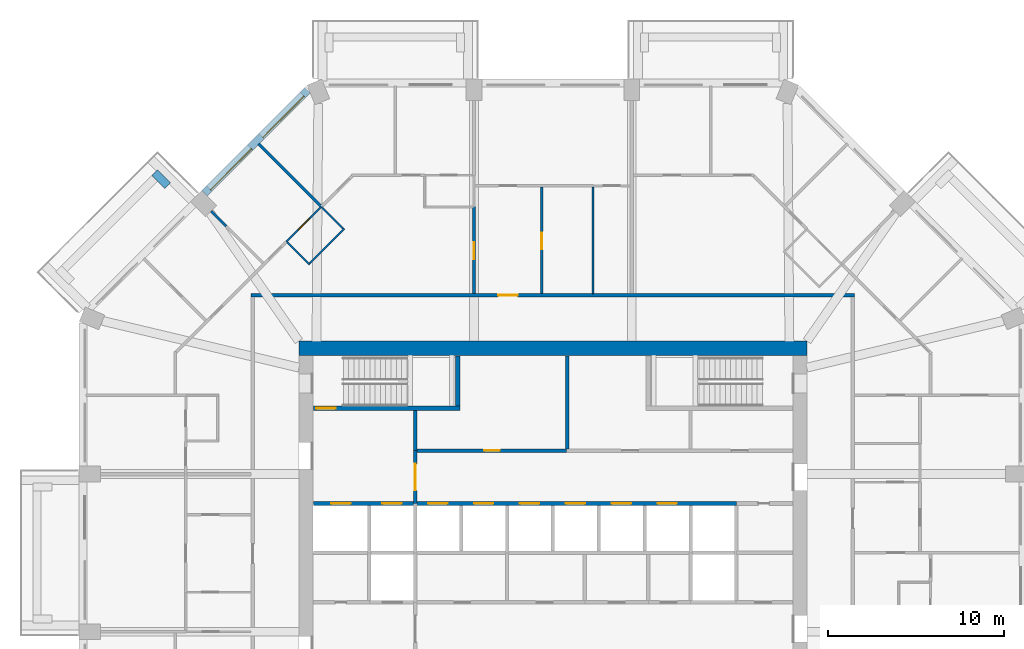
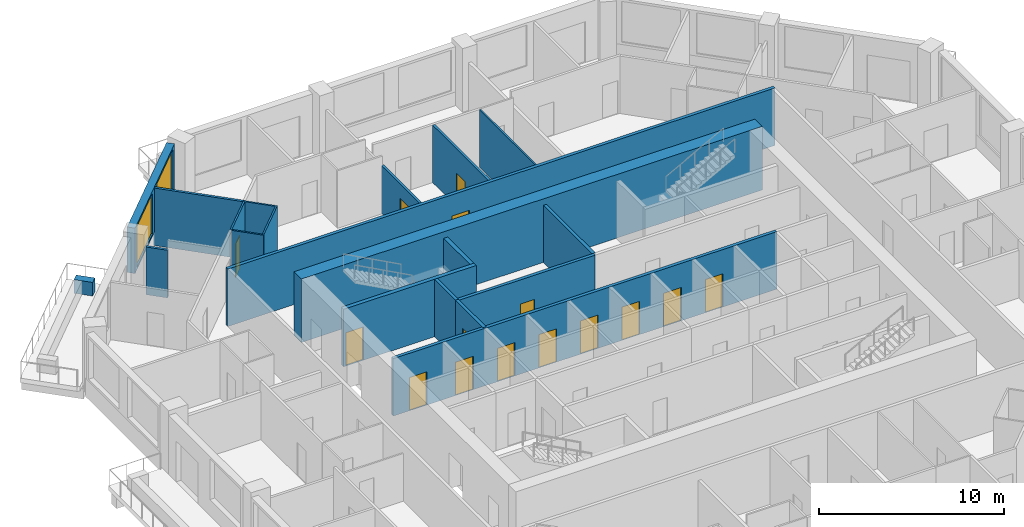
# One storey, part 8 of 13: 20 walls, 15 doors, 2 windows, 17 openings.
"""IFC4 building model written with IfcOpenShell, lengths in metres."""

from ifc_helpers import new_model, si_unit, direction, frame, frame_2d, origin, place, context, subcontext, project, spatial, rectangle, extrude, material, layer, layer_set, type_object, element, fill, save


model = new_model("IFC4")

# Units and contexts
model_context = context("Model", 3, precision=1e-05, world=origin(), true_north=direction((0.0, 1.0)))
body_context = subcontext(model_context, "Body", "Model", "MODEL_VIEW")
ifc_project = project(units=[si_unit("LENGTHUNIT", "METRE"), si_unit("AREAUNIT", "SQUARE_METRE"), si_unit("VOLUMEUNIT", "CUBIC_METRE"), si_unit("PLANEANGLEUNIT", "RADIAN"), si_unit("MASSUNIT", "GRAM", prefix="KILO")], contexts=[model_context])

# Site, building, storey
site_placement = place(None, origin())
site = spatial("IfcSite", under=ifc_project, at=site_placement, CompositionType="ELEMENT")
building_placement = place(site_placement, origin())
building = spatial("IfcBuilding", under=site, at=building_placement, Name="Msitu Wima Residences", CompositionType="ELEMENT")
storey_placement = place(building_placement, frame((0.0, 0.0, 148.5)))
storey = spatial("IfcBuildingStorey", under=building, at=storey_placement, Name="L34", CompositionType="ELEMENT", Elevation=148.5)

# Wall
ifc_material_1 = material(Name="Facing brick")
ifc_layer_1 = layer(ifc_material_1, 0.06494140625, Name="Facing brick")
ifc_material_2 = material(Name="Concrete C40/50", Category="concrete")
ifc_layer_2 = layer(ifc_material_2, 0.156005859375, Name="Concrete C40/50")
ifc_material_3 = material(Name="Waterproofing membrane")
ifc_layer_3 = layer(ifc_material_3, 0.00390625, Name="Waterproofing membrane")
ifc_material_4 = material(Name="Planting soil and planting")
ifc_layer_4 = layer(ifc_material_4, 0.22509765625, Name="Planting soil and planting")
ifc_layer_set_1 = layer_set([ifc_layer_1, ifc_layer_2, ifc_layer_3, ifc_layer_4], Name="Concrete C40/50")
wall_type_1 = type_object("IfcWallType", Name="Balcony planter PLANTER PL450", PredefinedType="USERDEFINED", material=ifc_layer_set_1)
wall_1_placement = place(storey_placement, frame((-21.829833984375, 20.804443359375, 0.0), z_axis=(0.0, 0.0, 1.0), x_axis=(-0.707106781187, 0.707106781187, 0.0)))
element("IfcWall", 1, at=wall_1_placement, inside=storey, type_object=wall_type_1, Name="Balcony planter NW1 L34", ObjectType="PLANTER", PredefinedType="USERDEFINED", context=body_context, shape_type="SweptSolid", body=[
    extrude(rectangle(XDim=1.050048828125, YDim=0.449951171875, at=frame_2d((0.52490234375, 0.0))), origin(), (0.0, 0.0, 1.0), 0.89990234375),
])

# Wall, openings, windows
ifc_material_5 = material(Name="Brick (red buff mix)", Category="masonry")
ifc_layer_5 = layer(ifc_material_5, 0.449951171875)
ifc_layer_set_2 = layer_set([ifc_layer_5], Name="Brick (red buff mix)")
wall_type_2 = type_object("IfcWallType", Name="Brick infill wall BW450", PredefinedType="SOLIDWALL", material=ifc_layer_set_2)
wall_2_placement = place(storey_placement, frame((-13.909423828125, 26.214599609375, 0.89990234375), z_axis=(0.0, 0.0, 1.0), x_axis=(-0.707106781187, -0.707106781187, 0.0)))
wall_2 = element("IfcWall", 2, at=wall_2_placement, inside=storey, type_object=wall_type_2, Name="Brick infill wall L34 NW0", PredefinedType="SOLIDWALL", context=body_context, shape_type="SweptSolid", body=[
    extrude(rectangle(XDim=8.251220703125, YDim=0.449951171875, at=frame_2d((4.12548828125, 0.0))), origin(), (0.0, 0.0, 1.0), 3.0),
])
opening_1_placement = place(wall_2_placement, frame((0.37548828125, 0.0, 0.14990234375)))
opening_1 = element("IfcOpeningElement", 3, at=opening_1_placement, cuts=wall_2, Name="Opening W34-35.013", PredefinedType="OPENING", context=body_context, shape_type="SweptSolid", body=[
    extrude(rectangle(XDim=3.300048828125, YDim=2.699951171875, at=frame_2d((1.64990234375, 1.35009765625))), frame((0.0, 0.23486328125, 0.0), z_axis=(0.0, -1.0, 0.0), x_axis=(1.0, 0.0, 0.0)), (0.0, 0.0, 1.0), 0.469970703125),
])
opening_2_placement = place(wall_2_placement, frame((4.57568359375, 0.0, 0.14990234375)))
opening_2 = element("IfcOpeningElement", 4, at=opening_2_placement, cuts=wall_2, Name="Opening W34-35.014", PredefinedType="OPENING", context=body_context, shape_type="SweptSolid", body=[
    extrude(rectangle(XDim=3.300048828125, YDim=2.699951171875, at=frame_2d((1.64990234375, 1.35009765625))), frame((0.0, 0.23486328125, 0.0), z_axis=(0.0, -1.0, 0.0), x_axis=(1.0, 0.0, 0.0)), (0.0, 0.0, 1.0), 0.469970703125),
])
ifc_material_6 = material(Name="Anodised aluminium, bronze finish, clear low-emissivity double glazing", Category="aluminium")
window_type = type_object("IfcWindowType", Name="Window W3300x2700", PartitioningType="DOUBLE_PANEL_VERTICAL", PredefinedType="WINDOW", material=ifc_material_6)
window_1_placement = place(opening_1_placement, origin())
window_1 = element("IfcWindow", 5, at=window_1_placement, inside=storey, type_object=window_type, Name="Window L34 NW0.1", OverallHeight=2.699951171875, OverallWidth=3.300048828125, PartitioningType="SINGLE_PANEL", PredefinedType="WINDOW", context=body_context, shape_type="SweptSolid", body=[
    extrude(rectangle(XDim=3.300048828125, YDim=2.699951171875, at=frame_2d((1.64990234375, 1.35009765625))), frame((0.0, 0.135009765625, 0.0), z_axis=(0.0, -1.0, 0.0), x_axis=(1.0, 0.0, 0.0)), (0.0, 0.0, 1.0), 0.06005859375),
])
fill(opening_1, window_1)
window_2_placement = place(opening_2_placement, origin())
window_2 = element("IfcWindow", 6, at=window_2_placement, inside=storey, type_object=window_type, Name="Window L34 NW0.2", OverallHeight=2.699951171875, OverallWidth=3.300048828125, PartitioningType="SINGLE_PANEL", PredefinedType="WINDOW", context=body_context, shape_type="SweptSolid", body=[
    extrude(rectangle(XDim=3.300048828125, YDim=2.699951171875, at=frame_2d((1.64990234375, 1.35009765625))), frame((0.0, 0.135009765625, 0.0), z_axis=(0.0, -1.0, 0.0), x_axis=(1.0, 0.0, 0.0)), (0.0, 0.0, 1.0), 0.06005859375),
])
fill(opening_2, window_2)

# Wall
ifc_material_7 = material(Name="Concrete C70/85", Category="concrete")
ifc_layer_6 = layer(ifc_material_7, 0.800048828125)
ifc_layer_set_3 = layer_set([ifc_layer_6], Name="Concrete C70/85")
wall_type_3 = type_object("IfcWallType", Name="Core wall CW800 C70/85", PredefinedType="SHEAR", material=ifc_layer_set_3)
wall_3_placement = place(storey_placement, frame((-14.39990234375, 11.60009765625, 0.0), z_axis=(0.0, 0.0, 1.0), x_axis=(1.0, 0.0, 0.0)))
element("IfcWall", 7, at=wall_3_placement, inside=storey, type_object=wall_type_3, Name="Core wall", PredefinedType="SHEAR", context=body_context, shape_type="SweptSolid", body=[
    extrude(rectangle(XDim=28.7998046875, YDim=0.800048828125, at=frame_2d((14.39990234375, 0.0))), origin(), (0.0, 0.0, 1.0), 4.199951171875),
])

# Wall, opening, door
ifc_material_8 = material(Name="Plaster")
ifc_layer_7 = layer(ifc_material_8, 0.011962890625, Name="Plaster")
ifc_material_9 = material(Name="Concrete blockwork", Category="masonry")
ifc_layer_8 = layer(ifc_material_9, 0.176025390625, Name="Concrete blockwork")
ifc_layer_9 = layer(ifc_material_8, 0.011962890625, Name="Plaster")
ifc_layer_set_4 = layer_set([ifc_layer_7, ifc_layer_8, ifc_layer_9], Name="Concrete blockwork")
wall_type_4 = type_object("IfcWallType", Name="Corridor wall FW200", PredefinedType="PARTITIONING", material=ifc_layer_set_4)
wall_4_placement = place(storey_placement, frame((-17.10009765625, 14.60009765625, 0.0), z_axis=(0.0, 0.0, 1.0), x_axis=(1.0, 0.0, 0.0)))
wall_4 = element("IfcWall", 8, at=wall_4_placement, inside=storey, type_object=wall_type_4, Name="Corridor wall", PredefinedType="PARTITIONING", context=body_context, shape_type="SweptSolid", body=[
    extrude(rectangle(XDim=34.2001953125, YDim=0.199951171875, at=frame_2d((17.10009765625, 0.0))), origin(), (0.0, 0.0, 1.0), 3.798095703125),
])
opening_3_placement = place(wall_4_placement, frame((14.0, 0.0, 0.0)))
opening_3 = element("IfcOpeningElement", 9, at=opening_3_placement, cuts=wall_4, Name="Opening D34-35.012", PredefinedType="OPENING", context=body_context, shape_type="SweptSolid", body=[
    extrude(rectangle(XDim=1.10009765625, YDim=2.39990234375, at=frame_2d((0.550048828125, 1.199951171875))), frame((0.0, 0.10986328125, 0.0), z_axis=(0.0, -1.0, 0.0), x_axis=(1.0, 0.0, 0.0)), (0.0, 0.0, 1.0), 0.219970703125),
])
ifc_material_10 = material(Name="Timber flush door, fire resisting, self-closing", Category="wood")
door_type_1 = type_object("IfcDoorType", Name="Flat entrance door D01 1100x2400", OperationType="SINGLE_SWING_LEFT", PredefinedType="DOOR", material=ifc_material_10)
door_1_placement = place(opening_3_placement, origin())
door_1 = element("IfcDoor", 10, at=door_1_placement, inside=storey, type_object=door_type_1, Name="Flat entrance door", OperationType="SINGLE_SWING_LEFT", OverallHeight=2.39990234375, OverallWidth=1.10009765625, PredefinedType="DOOR", context=body_context, shape_type="SweptSolid", body=[
    extrude(rectangle(XDim=1.10009765625, YDim=2.39990234375, at=frame_2d((0.550048828125, 1.199951171875))), frame((0.0, 0.02490234375, 0.0), z_axis=(0.0, -1.0, 0.0), x_axis=(1.0, 0.0, 0.0)), (0.0, 0.0, 1.0), 0.050048828125),
])
fill(opening_3, door_1)

wall_5_placement = place(storey_placement, frame((-7.800048828125, 2.800048828125, 0.0), z_axis=(0.0, 0.0, 1.0), x_axis=(0.0, 1.0, 0.0)))
wall_5 = element("IfcWall", 11, at=wall_5_placement, inside=storey, type_object=wall_type_4, Name="Corridor wall", PredefinedType="PARTITIONING", context=body_context, shape_type="SweptSolid", body=[
    extrude(rectangle(XDim=3.0, YDim=0.199951171875, at=frame_2d((1.5, 0.0))), origin(), (0.0, 0.0, 1.0), 3.798095703125),
])
opening_4_placement = place(wall_5_placement, frame((0.75, 0.0, 0.0)))
opening_4 = element("IfcOpeningElement", 12, at=opening_4_placement, cuts=wall_5, Name="Opening D34-35.017", PredefinedType="OPENING", context=body_context, shape_type="SweptSolid", body=[
    extrude(rectangle(XDim=1.5, YDim=2.39990234375, at=frame_2d((0.75, 1.199951171875))), frame((0.0, 0.10986328125, 0.0), z_axis=(0.0, -1.0, 0.0), x_axis=(1.0, 0.0, 0.0)), (0.0, 0.0, 1.0), 0.219970703125),
])
ifc_material_11 = material(Name="Steel framed glazed door, fire resisting", Category="steel")
door_type_2 = type_object("IfcDoorType", Name="Lobby door D07 1500x2400", OperationType="DOUBLE_DOOR_SINGLE_SWING", PredefinedType="DOOR", material=ifc_material_11)
door_2_placement = place(opening_4_placement, origin())
door_2 = element("IfcDoor", 13, at=door_2_placement, inside=storey, type_object=door_type_2, Name="Lobby door", OperationType="DOUBLE_DOOR_SINGLE_SWING", OverallHeight=2.39990234375, OverallWidth=1.5, PredefinedType="DOOR", context=body_context, shape_type="SweptSolid", body=[
    extrude(rectangle(XDim=1.5, YDim=2.39990234375, at=frame_2d((0.75, 1.199951171875))), frame((0.0, 0.02490234375, 0.0), z_axis=(0.0, -1.0, 0.0), x_axis=(1.0, 0.0, 0.0)), (0.0, 0.0, 1.0), 0.050048828125),
])
fill(opening_4, door_2)

# Walls
ifc_layer_10 = layer(ifc_material_8, 0.011962890625, Name="Plaster")
ifc_layer_11 = layer(ifc_material_9, 0.1259765625, Name="Concrete blockwork")
ifc_layer_12 = layer(ifc_material_8, 0.011962890625, Name="Plaster")
ifc_layer_set_5 = layer_set([ifc_layer_10, ifc_layer_11, ifc_layer_12], Name="Concrete blockwork")
wall_type_5 = type_object("IfcWallType", Name="Partition PW150", PredefinedType="PARTITIONING", material=ifc_layer_set_5)
wall_6_placement = place(storey_placement, frame((-19.37255859375, 19.37255859375, 0.0), z_axis=(0.0, 0.0, 1.0), x_axis=(0.707106781187, -0.707106781187, 0.0)))
element("IfcWall", 14, at=wall_6_placement, inside=storey, type_object=wall_type_5, Name="Partition", PredefinedType="PARTITIONING", context=body_context, shape_type="SweptSolid", body=[
    extrude(rectangle(XDim=1.209228515625, YDim=0.14990234375, at=frame_2d((0.6044921875, 0.0))), origin(), (0.0, 0.0, 1.0), 3.14990234375),
])
wall_7_placement = place(storey_placement, frame((-16.693359375, 23.1904296875, 0.0), z_axis=(0.0, 0.0, 1.0), x_axis=(0.707106781187, -0.707106781187, 0.0)))
element("IfcWall", 15, at=wall_7_placement, inside=storey, type_object=wall_type_5, Name="Partition", PredefinedType="PARTITIONING", context=body_context, shape_type="SweptSolid", body=[
    extrude(rectangle(XDim=5.0751953125, YDim=0.14990234375, at=frame_2d((2.53759765625, 0.0))), origin(), (0.0, 0.0, 1.0), 3.798095703125),
])

# Wall, opening, door
wall_8_placement = place(storey_placement, frame((-4.46875, 14.699951171875, 0.0), z_axis=(0.0, 0.0, 1.0), x_axis=(0.0, 1.0, 0.0)))
wall_8 = element("IfcWall", 16, at=wall_8_placement, inside=storey, type_object=wall_type_5, Name="Partition", PredefinedType="PARTITIONING", context=body_context, shape_type="SweptSolid", body=[
    extrude(rectangle(XDim=4.920166015625, YDim=0.14990234375, at=frame_2d((2.4599609375, 0.0))), origin(), (0.0, 0.0, 1.0), 3.14990234375),
])
opening_5_placement = place(wall_8_placement, frame((1.949951171875, 0.0, 0.0)))
opening_5 = element("IfcOpeningElement", 17, at=opening_5_placement, cuts=wall_8, Name="Opening D34-35.044", PredefinedType="OPENING", context=body_context, shape_type="SweptSolid", body=[
    extrude(rectangle(XDim=0.949951171875, YDim=2.199951171875, at=frame_2d((0.47509765625, 1.10009765625))), frame((0.0, 0.0849609375, 0.0), z_axis=(0.0, -1.0, 0.0), x_axis=(1.0, 0.0, 0.0)), (0.0, 0.0, 1.0), 0.169921875),
])
ifc_material_12 = material(Name="Timber flush door", Category="wood")
door_type_3 = type_object("IfcDoorType", Name="Room door D12 950x2200", OperationType="SINGLE_SWING_LEFT", PredefinedType="DOOR", material=ifc_material_12)
door_3_placement = place(opening_5_placement, origin())
door_3 = element("IfcDoor", 18, at=door_3_placement, inside=storey, type_object=door_type_3, Name="Room door", OperationType="SINGLE_SWING_LEFT", OverallHeight=2.199951171875, OverallWidth=0.949951171875, PredefinedType="DOOR", context=body_context, shape_type="SweptSolid", body=[
    extrude(rectangle(XDim=0.949951171875, YDim=2.199951171875, at=frame_2d((0.47509765625, 1.10009765625))), frame((0.0, 0.02490234375, 0.0), z_axis=(0.0, -1.0, 0.0), x_axis=(1.0, 0.0, 0.0)), (0.0, 0.0, 1.0), 0.050048828125),
])
fill(opening_5, door_3)

wall_9_placement = place(storey_placement, frame((-0.63134765625, 14.699951171875, 0.0), z_axis=(0.0, 0.0, 1.0), x_axis=(0.0, 1.0, 0.0)))
wall_9 = element("IfcWall", 19, at=wall_9_placement, inside=storey, type_object=wall_type_5, Name="Partition", PredefinedType="PARTITIONING", context=body_context, shape_type="SweptSolid", body=[
    extrude(rectangle(XDim=6.025146484375, YDim=0.14990234375, at=frame_2d((3.0126953125, 0.0))), origin(), (0.0, 0.0, 1.0), 3.798095703125),
])
opening_6_placement = place(wall_9_placement, frame((2.5, 0.0, 0.0)))
opening_6 = element("IfcOpeningElement", 20, at=opening_6_placement, cuts=wall_9, Name="Opening D34-35.052", PredefinedType="OPENING", context=body_context, shape_type="SweptSolid", body=[
    extrude(rectangle(XDim=0.949951171875, YDim=2.199951171875, at=frame_2d((0.47509765625, 1.10009765625))), frame((0.0, 0.0849609375, 0.0), z_axis=(0.0, -1.0, 0.0), x_axis=(1.0, 0.0, 0.0)), (0.0, 0.0, 1.0), 0.169921875),
])
door_4_placement = place(opening_6_placement, origin())
door_4 = element("IfcDoor", 21, at=door_4_placement, inside=storey, type_object=door_type_3, Name="Room door", OperationType="SINGLE_SWING_RIGHT", OverallHeight=2.199951171875, OverallWidth=0.949951171875, PredefinedType="DOOR", context=body_context, shape_type="SweptSolid", body=[
    extrude(rectangle(XDim=0.949951171875, YDim=2.199951171875, at=frame_2d((0.47509765625, 1.10009765625))), frame((0.0, 0.02490234375, 0.0), z_axis=(0.0, -1.0, 0.0), x_axis=(1.0, 0.0, 0.0)), (0.0, 0.0, 1.0), 0.050048828125),
])
fill(opening_6, door_4)

# Wall
ifc_layer_13 = layer(ifc_material_8, 0.011962890625, Name="Plaster")
ifc_material_13 = material(Name="Reinforced concrete blockwork", Category="masonry")
ifc_layer_14 = layer(ifc_material_13, 0.176025390625, Name="Reinforced concrete blockwork")
ifc_layer_15 = layer(ifc_material_8, 0.011962890625, Name="Plaster")
ifc_layer_set_6 = layer_set([ifc_layer_13, ifc_layer_14, ifc_layer_15], Name="Reinforced concrete blockwork")
wall_type_6 = type_object("IfcWallType", Name="Plant and riser wall PL200", PredefinedType="PARTITIONING", material=ifc_layer_set_6)
wall_10_placement = place(storey_placement, frame((-7.800048828125, 5.800048828125, 0.0), z_axis=(0.0, 0.0, 1.0), x_axis=(0.0, 1.0, 0.0)))
element("IfcWall", 22, at=wall_10_placement, inside=storey, type_object=wall_type_6, Name="Plant and riser wall", PredefinedType="PARTITIONING", context=body_context, shape_type="SweptSolid", body=[
    extrude(rectangle(XDim=2.27490234375, YDim=0.199951171875, at=frame_2d((1.137451171875, 0.0))), origin(), (0.0, 0.0, 1.0), 3.798095703125),
])

# Wall, opening, door
wall_11_placement = place(storey_placement, frame((-7.699951171875, 5.800048828125, 0.0), z_axis=(0.0, 0.0, 1.0), x_axis=(1.0, 0.0, 0.0)))
wall_11 = element("IfcWall", 23, at=wall_11_placement, inside=storey, type_object=wall_type_6, Name="Plant and riser wall", PredefinedType="PARTITIONING", context=body_context, shape_type="SweptSolid", body=[
    extrude(rectangle(XDim=8.47998046875, YDim=0.199951171875, at=frame_2d((4.239990234375, 0.0))), origin(), (0.0, 0.0, 1.0), 3.798095703125),
])
opening_7_placement = place(wall_11_placement, frame((3.800048828125, 0.0, 0.0)))
opening_7 = element("IfcOpeningElement", 24, at=opening_7_placement, cuts=wall_11, Name="Opening D34-35.020", PredefinedType="OPENING", context=body_context, shape_type="SweptSolid", body=[
    extrude(rectangle(XDim=0.89990234375, YDim=2.199951171875, at=frame_2d((0.449951171875, 1.10009765625))), frame((0.0, 0.10986328125, 0.0), z_axis=(0.0, -1.0, 0.0), x_axis=(1.0, 0.0, 0.0)), (0.0, 0.0, 1.0), 0.219970703125),
])
door_type_4 = type_object("IfcDoorType", Name="Service door D05 900x2200", OperationType="SINGLE_SWING_LEFT", PredefinedType="DOOR", material=ifc_material_12)
door_5_placement = place(opening_7_placement, origin())
door_5 = element("IfcDoor", 25, at=door_5_placement, inside=storey, type_object=door_type_4, Name="Service door", OperationType="SINGLE_SWING_RIGHT", OverallHeight=2.199951171875, OverallWidth=0.89990234375, PredefinedType="DOOR", context=body_context, shape_type="SweptSolid", body=[
    extrude(rectangle(XDim=0.89990234375, YDim=2.199951171875, at=frame_2d((0.449951171875, 1.10009765625))), frame((0.0, 0.02490234375, 0.0), z_axis=(0.0, -1.0, 0.0), x_axis=(1.0, 0.0, 0.0)), (0.0, 0.0, 1.0), 0.050048828125),
])
fill(opening_7, door_5)

# Wall
wall_12_placement = place(storey_placement, frame((0.800048828125, 5.89990234375, 0.0), z_axis=(0.0, 0.0, 1.0), x_axis=(0.0, 1.0, 0.0)))
element("IfcWall", 26, at=wall_12_placement, inside=storey, type_object=wall_type_6, Name="Plant and riser wall", PredefinedType="PARTITIONING", context=body_context, shape_type="SweptSolid", body=[
    extrude(rectangle(XDim=5.27001953125, YDim=0.199951171875, at=frame_2d((2.635009765625, 0.0))), origin(), (0.0, 0.0, 1.0), 3.798095703125),
])

# Wall, openings, doors
ifc_material_14 = material(Name="Fire-rated board")
ifc_layer_16 = layer(ifc_material_14, 0.02490234375, Name="Fire-rated board")
ifc_material_15 = material(Name="Light-gauge stud framing with mineral wool")
ifc_layer_17 = layer(ifc_material_15, 0.14990234375, Name="Light-gauge stud framing with mineral wool")
ifc_layer_18 = layer(ifc_material_14, 0.02490234375, Name="Fire-rated board")
ifc_layer_set_7 = layer_set([ifc_layer_16, ifc_layer_17, ifc_layer_18], Name="Light-gauge stud framing with mineral wool")
wall_type_7 = type_object("IfcWallType", Name="Shaft wall SH200", PredefinedType="PARTITIONING", material=ifc_layer_set_7)
wall_13_placement = place(storey_placement, frame((-13.570068359375, 2.800048828125, 0.0), z_axis=(0.0, 0.0, 1.0), x_axis=(1.0, 0.0, 0.0)))
wall_13 = element("IfcWall", 27, at=wall_13_placement, inside=storey, type_object=wall_type_7, Name="Shaft wall", PredefinedType="PARTITIONING", context=body_context, shape_type="SweptSolid", body=[
    extrude(rectangle(XDim=23.969970703125, YDim=0.199951171875, at=frame_2d((11.98486328125, 0.0))), origin(), (0.0, 0.0, 1.0), 3.798095703125),
])
opening_8_placement = place(wall_13_placement, frame((1.0, 0.0, 0.0)))
opening_8 = element("IfcOpeningElement", 28, at=opening_8_placement, cuts=wall_13, Name="Opening LD", PredefinedType="OPENING", context=body_context, shape_type="SweptSolid", body=[
    extrude(rectangle(XDim=1.10009765625, YDim=2.199951171875, at=frame_2d((0.550048828125, 1.10009765625))), frame((0.0, 0.10986328125, 0.0), z_axis=(0.0, -1.0, 0.0), x_axis=(1.0, 0.0, 0.0)), (0.0, 0.0, 1.0), 0.219970703125),
])
opening_9_placement = place(wall_13_placement, frame((3.89990234375, 0.0, 0.0)))
opening_9 = element("IfcOpeningElement", 29, at=opening_9_placement, cuts=wall_13, Name="Opening LD", PredefinedType="OPENING", context=body_context, shape_type="SweptSolid", body=[
    extrude(rectangle(XDim=1.10009765625, YDim=2.199951171875, at=frame_2d((0.550048828125, 1.10009765625))), frame((0.0, 0.10986328125, 0.0), z_axis=(0.0, -1.0, 0.0), x_axis=(1.0, 0.0, 0.0)), (0.0, 0.0, 1.0), 0.219970703125),
])
opening_10_placement = place(wall_13_placement, frame((6.5, 0.0, 0.0)))
opening_10 = element("IfcOpeningElement", 30, at=opening_10_placement, cuts=wall_13, Name="Opening LD", PredefinedType="OPENING", context=body_context, shape_type="SweptSolid", body=[
    extrude(rectangle(XDim=1.10009765625, YDim=2.199951171875, at=frame_2d((0.550048828125, 1.10009765625))), frame((0.0, 0.10986328125, 0.0), z_axis=(0.0, -1.0, 0.0), x_axis=(1.0, 0.0, 0.0)), (0.0, 0.0, 1.0), 0.219970703125),
])
opening_11_placement = place(wall_13_placement, frame((9.10009765625, 0.0, 0.0)))
opening_11 = element("IfcOpeningElement", 31, at=opening_11_placement, cuts=wall_13, Name="Opening LD", PredefinedType="OPENING", context=body_context, shape_type="SweptSolid", body=[
    extrude(rectangle(XDim=1.10009765625, YDim=2.199951171875, at=frame_2d((0.550048828125, 1.10009765625))), frame((0.0, 0.10986328125, 0.0), z_axis=(0.0, -1.0, 0.0), x_axis=(1.0, 0.0, 0.0)), (0.0, 0.0, 1.0), 0.219970703125),
])
opening_12_placement = place(wall_13_placement, frame((11.699951171875, 0.0, 0.0)))
opening_12 = element("IfcOpeningElement", 32, at=opening_12_placement, cuts=wall_13, Name="Opening LD", PredefinedType="OPENING", context=body_context, shape_type="SweptSolid", body=[
    extrude(rectangle(XDim=1.10009765625, YDim=2.199951171875, at=frame_2d((0.550048828125, 1.10009765625))), frame((0.0, 0.10986328125, 0.0), z_axis=(0.0, -1.0, 0.0), x_axis=(1.0, 0.0, 0.0)), (0.0, 0.0, 1.0), 0.219970703125),
])
opening_13_placement = place(wall_13_placement, frame((14.300048828125, 0.0, 0.0)))
opening_13 = element("IfcOpeningElement", 33, at=opening_13_placement, cuts=wall_13, Name="Opening LD", PredefinedType="OPENING", context=body_context, shape_type="SweptSolid", body=[
    extrude(rectangle(XDim=1.10009765625, YDim=2.199951171875, at=frame_2d((0.550048828125, 1.10009765625))), frame((0.0, 0.10986328125, 0.0), z_axis=(0.0, -1.0, 0.0), x_axis=(1.0, 0.0, 0.0)), (0.0, 0.0, 1.0), 0.219970703125),
])
opening_14_placement = place(wall_13_placement, frame((16.89990234375, 0.0, 0.0)))
opening_14 = element("IfcOpeningElement", 34, at=opening_14_placement, cuts=wall_13, Name="Opening LD", PredefinedType="OPENING", context=body_context, shape_type="SweptSolid", body=[
    extrude(rectangle(XDim=1.10009765625, YDim=2.199951171875, at=frame_2d((0.550048828125, 1.10009765625))), frame((0.0, 0.10986328125, 0.0), z_axis=(0.0, -1.0, 0.0), x_axis=(1.0, 0.0, 0.0)), (0.0, 0.0, 1.0), 0.219970703125),
])
opening_15_placement = place(wall_13_placement, frame((19.5, 0.0, 0.0)))
opening_15 = element("IfcOpeningElement", 35, at=opening_15_placement, cuts=wall_13, Name="Opening LD", PredefinedType="OPENING", context=body_context, shape_type="SweptSolid", body=[
    extrude(rectangle(XDim=1.10009765625, YDim=2.199951171875, at=frame_2d((0.550048828125, 1.10009765625))), frame((0.0, 0.10986328125, 0.0), z_axis=(0.0, -1.0, 0.0), x_axis=(1.0, 0.0, 0.0)), (0.0, 0.0, 1.0), 0.219970703125),
])
ifc_material_16 = material(Name="Stainless steel centre-opening landing door, rated", Category="steel")
door_type_5 = type_object("IfcDoorType", Name="Lift landing door LD 1100x2200", OperationType="DOUBLE_DOOR_SLIDING", PredefinedType="DOOR", material=ifc_material_16)
door_6_placement = place(opening_8_placement, origin())
door_6 = element("IfcDoor", 36, at=door_6_placement, inside=storey, type_object=door_type_5, Name="Lift landing door LD1", OperationType="DOUBLE_DOOR_SLIDING", OverallHeight=2.199951171875, OverallWidth=1.10009765625, PredefinedType="DOOR", context=body_context, shape_type="SweptSolid", body=[
    extrude(rectangle(XDim=1.10009765625, YDim=2.199951171875, at=frame_2d((0.550048828125, 1.10009765625))), frame((0.0, 0.02490234375, 0.0), z_axis=(0.0, -1.0, 0.0), x_axis=(1.0, 0.0, 0.0)), (0.0, 0.0, 1.0), 0.050048828125),
])
fill(opening_8, door_6)
door_7_placement = place(opening_9_placement, origin())
door_7 = element("IfcDoor", 37, at=door_7_placement, inside=storey, type_object=door_type_5, Name="Lift landing door LD2", OperationType="DOUBLE_DOOR_SLIDING", OverallHeight=2.199951171875, OverallWidth=1.10009765625, PredefinedType="DOOR", context=body_context, shape_type="SweptSolid", body=[
    extrude(rectangle(XDim=1.10009765625, YDim=2.199951171875, at=frame_2d((0.550048828125, 1.10009765625))), frame((0.0, 0.02490234375, 0.0), z_axis=(0.0, -1.0, 0.0), x_axis=(1.0, 0.0, 0.0)), (0.0, 0.0, 1.0), 0.050048828125),
])
fill(opening_9, door_7)
door_8_placement = place(opening_10_placement, origin())
door_8 = element("IfcDoor", 38, at=door_8_placement, inside=storey, type_object=door_type_5, Name="Lift landing door LD4", OperationType="DOUBLE_DOOR_SLIDING", OverallHeight=2.199951171875, OverallWidth=1.10009765625, PredefinedType="DOOR", context=body_context, shape_type="SweptSolid", body=[
    extrude(rectangle(XDim=1.10009765625, YDim=2.199951171875, at=frame_2d((0.550048828125, 1.10009765625))), frame((0.0, 0.02490234375, 0.0), z_axis=(0.0, -1.0, 0.0), x_axis=(1.0, 0.0, 0.0)), (0.0, 0.0, 1.0), 0.050048828125),
])
fill(opening_10, door_8)
door_9_placement = place(opening_11_placement, origin())
door_9 = element("IfcDoor", 39, at=door_9_placement, inside=storey, type_object=door_type_5, Name="Lift landing door LD6", OperationType="DOUBLE_DOOR_SLIDING", OverallHeight=2.199951171875, OverallWidth=1.10009765625, PredefinedType="DOOR", context=body_context, shape_type="SweptSolid", body=[
    extrude(rectangle(XDim=1.10009765625, YDim=2.199951171875, at=frame_2d((0.550048828125, 1.10009765625))), frame((0.0, 0.02490234375, 0.0), z_axis=(0.0, -1.0, 0.0), x_axis=(1.0, 0.0, 0.0)), (0.0, 0.0, 1.0), 0.050048828125),
])
fill(opening_11, door_9)
door_10_placement = place(opening_12_placement, origin())
door_10 = element("IfcDoor", 40, at=door_10_placement, inside=storey, type_object=door_type_5, Name="Lift landing door LD8", OperationType="DOUBLE_DOOR_SLIDING", OverallHeight=2.199951171875, OverallWidth=1.10009765625, PredefinedType="DOOR", context=body_context, shape_type="SweptSolid", body=[
    extrude(rectangle(XDim=1.10009765625, YDim=2.199951171875, at=frame_2d((0.550048828125, 1.10009765625))), frame((0.0, 0.02490234375, 0.0), z_axis=(0.0, -1.0, 0.0), x_axis=(1.0, 0.0, 0.0)), (0.0, 0.0, 1.0), 0.050048828125),
])
fill(opening_12, door_10)
door_11_placement = place(opening_13_placement, origin())
door_11 = element("IfcDoor", 41, at=door_11_placement, inside=storey, type_object=door_type_5, Name="Lift landing door LD10", OperationType="DOUBLE_DOOR_SLIDING", OverallHeight=2.199951171875, OverallWidth=1.10009765625, PredefinedType="DOOR", context=body_context, shape_type="SweptSolid", body=[
    extrude(rectangle(XDim=1.10009765625, YDim=2.199951171875, at=frame_2d((0.550048828125, 1.10009765625))), frame((0.0, 0.02490234375, 0.0), z_axis=(0.0, -1.0, 0.0), x_axis=(1.0, 0.0, 0.0)), (0.0, 0.0, 1.0), 0.050048828125),
])
fill(opening_13, door_11)
door_12_placement = place(opening_14_placement, origin())
door_12 = element("IfcDoor", 42, at=door_12_placement, inside=storey, type_object=door_type_5, Name="Lift landing door LD12", OperationType="DOUBLE_DOOR_SLIDING", OverallHeight=2.199951171875, OverallWidth=1.10009765625, PredefinedType="DOOR", context=body_context, shape_type="SweptSolid", body=[
    extrude(rectangle(XDim=1.10009765625, YDim=2.199951171875, at=frame_2d((0.550048828125, 1.10009765625))), frame((0.0, 0.02490234375, 0.0), z_axis=(0.0, -1.0, 0.0), x_axis=(1.0, 0.0, 0.0)), (0.0, 0.0, 1.0), 0.050048828125),
])
fill(opening_14, door_12)
door_13_placement = place(opening_15_placement, origin())
door_13 = element("IfcDoor", 43, at=door_13_placement, inside=storey, type_object=door_type_5, Name="Lift landing door LD14", OperationType="DOUBLE_DOOR_SLIDING", OverallHeight=2.199951171875, OverallWidth=1.10009765625, PredefinedType="DOOR", context=body_context, shape_type="SweptSolid", body=[
    extrude(rectangle(XDim=1.10009765625, YDim=2.199951171875, at=frame_2d((0.550048828125, 1.10009765625))), frame((0.0, 0.02490234375, 0.0), z_axis=(0.0, -1.0, 0.0), x_axis=(1.0, 0.0, 0.0)), (0.0, 0.0, 1.0), 0.050048828125),
])
fill(opening_15, door_13)

# Wall, opening, door
ifc_material_17 = material(Name="Concrete C50/60", Category="concrete")
ifc_layer_19 = layer(ifc_material_17, 0.25)
ifc_layer_set_8 = layer_set([ifc_layer_19], Name="Concrete C50/60")
wall_type_8 = type_object("IfcWallType", Name="Stair enclosure wall SW250", PredefinedType="SHEAR", material=ifc_layer_set_8)
wall_14_placement = place(storey_placement, frame((-13.570068359375, 8.199951171875, 0.0), z_axis=(0.0, 0.0, 1.0), x_axis=(1.0, 0.0, 0.0)))
wall_14 = element("IfcWall", 44, at=wall_14_placement, inside=storey, type_object=wall_type_8, Name="Stair enclosure wall", PredefinedType="SHEAR", context=body_context, shape_type="SweptSolid", body=[
    extrude(rectangle(XDim=8.295166015625, YDim=0.25, at=frame_2d((4.1474609375, 0.0))), origin(), (0.0, 0.0, 1.0), 3.798095703125),
])
opening_16_placement = place(wall_14_placement, frame((0.14990234375, 0.0, 0.0)))
opening_16 = element("IfcOpeningElement", 45, at=opening_16_placement, cuts=wall_14, Name="Opening D34-35.034", PredefinedType="OPENING", context=body_context, shape_type="SweptSolid", body=[
    extrude(rectangle(XDim=1.10009765625, YDim=2.199951171875, at=frame_2d((0.550048828125, 1.10009765625))), frame((0.0, 0.135009765625, 0.0), z_axis=(0.0, -1.0, 0.0), x_axis=(1.0, 0.0, 0.0)), (0.0, 0.0, 1.0), 0.27001953125),
])
ifc_material_18 = material(Name="Steel door, fire resisting, panic bar", Category="steel")
door_type_6 = type_object("IfcDoorType", Name="Stair door D06 1100x2200", OperationType="SINGLE_SWING_LEFT", PredefinedType="DOOR", material=ifc_material_18)
door_14_placement = place(opening_16_placement, origin())
door_14 = element("IfcDoor", 46, at=door_14_placement, inside=storey, type_object=door_type_6, Name="Stair door", OperationType="SINGLE_SWING_LEFT", OverallHeight=2.199951171875, OverallWidth=1.10009765625, PredefinedType="DOOR", context=body_context, shape_type="SweptSolid", body=[
    extrude(rectangle(XDim=1.10009765625, YDim=2.199951171875, at=frame_2d((0.550048828125, 1.10009765625))), frame((0.0, 0.02490234375, 0.0), z_axis=(0.0, -1.0, 0.0), x_axis=(1.0, 0.0, 0.0)), (0.0, 0.0, 1.0), 0.050048828125),
])
fill(opening_16, door_14)

# Wall
wall_15_placement = place(storey_placement, frame((-5.39990234375, 8.324951171875, 0.0), z_axis=(0.0, 0.0, 1.0), x_axis=(0.0, 1.0, 0.0)))
element("IfcWall", 47, at=wall_15_placement, inside=storey, type_object=wall_type_8, Name="Stair enclosure wall", PredefinedType="SHEAR", context=body_context, shape_type="SweptSolid", body=[
    extrude(rectangle(XDim=2.844970703125, YDim=0.25, at=frame_2d((1.42236328125, 0.0))), origin(), (0.0, 0.0, 1.0), 3.798095703125),
])

# Wall, opening, door
ifc_material_19 = material(Name="Ceramic tiles")
ifc_layer_20 = layer(ifc_material_19, 0.008056640625, Name="Ceramic tiles")
ifc_material_20 = material(Name="Moisture-resistant board")
ifc_layer_21 = layer(ifc_material_20, 0.012451171875, Name="Moisture-resistant board")
ifc_layer_22 = layer(ifc_material_15, 0.06689453125, Name="Light-gauge stud framing with mineral wool")
ifc_layer_23 = layer(ifc_material_20, 0.012451171875, Name="Moisture-resistant board")
ifc_layer_set_9 = layer_set([ifc_layer_20, ifc_layer_21, ifc_layer_22, ifc_layer_23], Name="Light-gauge stud framing with mineral wool")
wall_type_9 = type_object("IfcWallType", Name="Wet wall PW100", PredefinedType="PARTITIONING", material=ifc_layer_set_9)
wall_16_placement = place(storey_placement, frame((-15.098876953125, 17.635986328125, 0.0), z_axis=(0.0, 0.0, 1.0), x_axis=(0.707106781187, 0.707106781187, 0.0)))
wall_16 = element("IfcWall", 48, at=wall_16_placement, inside=storey, type_object=wall_type_9, Name="Wet wall", PredefinedType="PARTITIONING", context=body_context, shape_type="SweptSolid", body=[
    extrude(rectangle(XDim=2.800048828125, YDim=0.10009765625, at=frame_2d((1.39990234375, 0.0))), origin(), (0.0, 0.0, 1.0), 3.798095703125),
])
opening_17_placement = place(wall_16_placement, frame((0.949951171875, 0.0, 0.0)))
opening_17 = element("IfcOpeningElement", 49, at=opening_17_placement, cuts=wall_16, Name="Opening D34-35.048", PredefinedType="OPENING", context=body_context, shape_type="SweptSolid", body=[
    extrude(rectangle(XDim=0.89990234375, YDim=2.199951171875, at=frame_2d((0.449951171875, 1.10009765625))), frame((0.0, 0.06005859375, 0.0), z_axis=(0.0, -1.0, 0.0), x_axis=(1.0, 0.0, 0.0)), (0.0, 0.0, 1.0), 0.1201171875),
])
ifc_material_21 = material(Name="Timber flush door, moisture resistant", Category="wood")
door_type_7 = type_object("IfcDoorType", Name="Bathroom door D03 900x2200", OperationType="SINGLE_SWING_LEFT", PredefinedType="DOOR", material=ifc_material_21)
door_15_placement = place(opening_17_placement, origin())
door_15 = element("IfcDoor", 50, at=door_15_placement, inside=storey, type_object=door_type_7, Name="Bathroom door", OperationType="SINGLE_SWING_LEFT", OverallHeight=2.199951171875, OverallWidth=0.89990234375, PredefinedType="DOOR", context=body_context, shape_type="SweptSolid", body=[
    extrude(rectangle(XDim=0.89990234375, YDim=2.199951171875, at=frame_2d((0.449951171875, 1.10009765625))), frame((0.0, 0.02490234375, 0.0), z_axis=(0.0, -1.0, 0.0), x_axis=(1.0, 0.0, 0.0)), (0.0, 0.0, 1.0), 0.050048828125),
])
fill(opening_17, door_15)

# Walls
wall_17_placement = place(storey_placement, frame((-15.0634765625, 17.6005859375, 0.0), z_axis=(0.0, 0.0, 1.0), x_axis=(0.707174592913, -0.707038962956, 0.0)))
element("IfcWall", 51, at=wall_17_placement, inside=storey, type_object=wall_type_9, Name="Wet wall", PredefinedType="PARTITIONING", context=body_context, shape_type="SweptSolid", body=[
    extrude(rectangle(XDim=1.800048828125, YDim=0.10009765625, at=frame_2d((0.89990234375, 0.0))), origin(), (0.0, 0.0, 1.0), 3.798095703125),
])
wall_18_placement = place(storey_placement, frame((-13.79052734375, 16.398681640625, 0.0), z_axis=(0.0, 0.0, 1.0), x_axis=(0.707106781187, 0.707106781187, 0.0)))
element("IfcWall", 52, at=wall_18_placement, inside=storey, type_object=wall_type_9, Name="Wet wall", PredefinedType="PARTITIONING", context=body_context, shape_type="SweptSolid", body=[
    extrude(rectangle(XDim=2.7998046875, YDim=0.10009765625, at=frame_2d((1.39990234375, 0.0))), origin(), (0.0, 0.0, 1.0), 3.798095703125),
])
wall_19_placement = place(storey_placement, frame((-13.104736328125, 19.601806640625, 0.0), z_axis=(0.0, 0.0, 1.0), x_axis=(0.707106781187, -0.707106781187, 0.0)))
element("IfcWall", 53, at=wall_19_placement, inside=storey, type_object=wall_type_9, Name="Wet wall", PredefinedType="PARTITIONING", context=body_context, shape_type="SweptSolid", body=[
    extrude(rectangle(XDim=1.730224609375, YDim=0.10009765625, at=frame_2d((0.865234375, 0.0))), origin(), (0.0, 0.0, 1.0), 3.798095703125),
])
wall_20_placement = place(storey_placement, frame((2.2685546875, 14.699951171875, 0.0), z_axis=(0.0, 0.0, 1.0), x_axis=(0.0, 1.0, 0.0)))
element("IfcWall", 54, at=wall_20_placement, inside=storey, type_object=wall_type_9, Name="Wet wall", PredefinedType="PARTITIONING", context=body_context, shape_type="SweptSolid", body=[
    extrude(rectangle(XDim=6.025146484375, YDim=0.10009765625, at=frame_2d((3.0126953125, 0.0))), origin(), (0.0, 0.0, 1.0), 3.798095703125),
])

save(model, "model.ifc")
